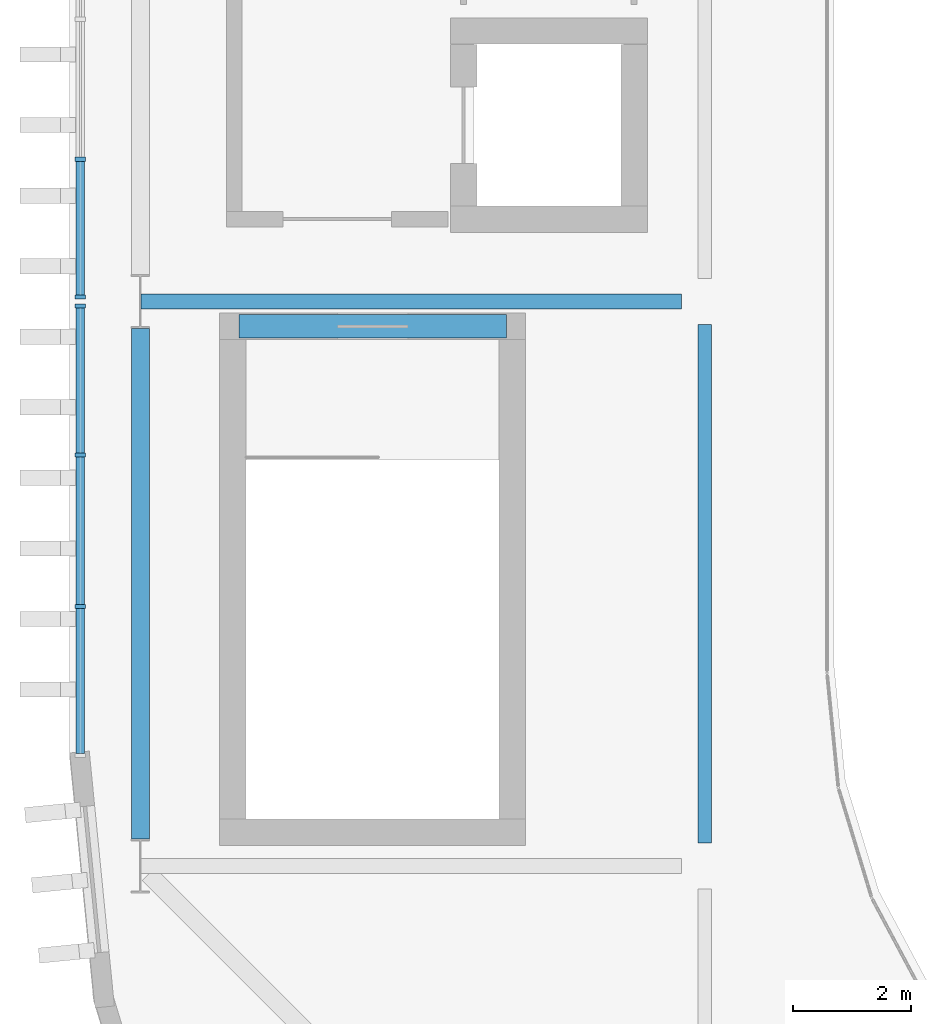
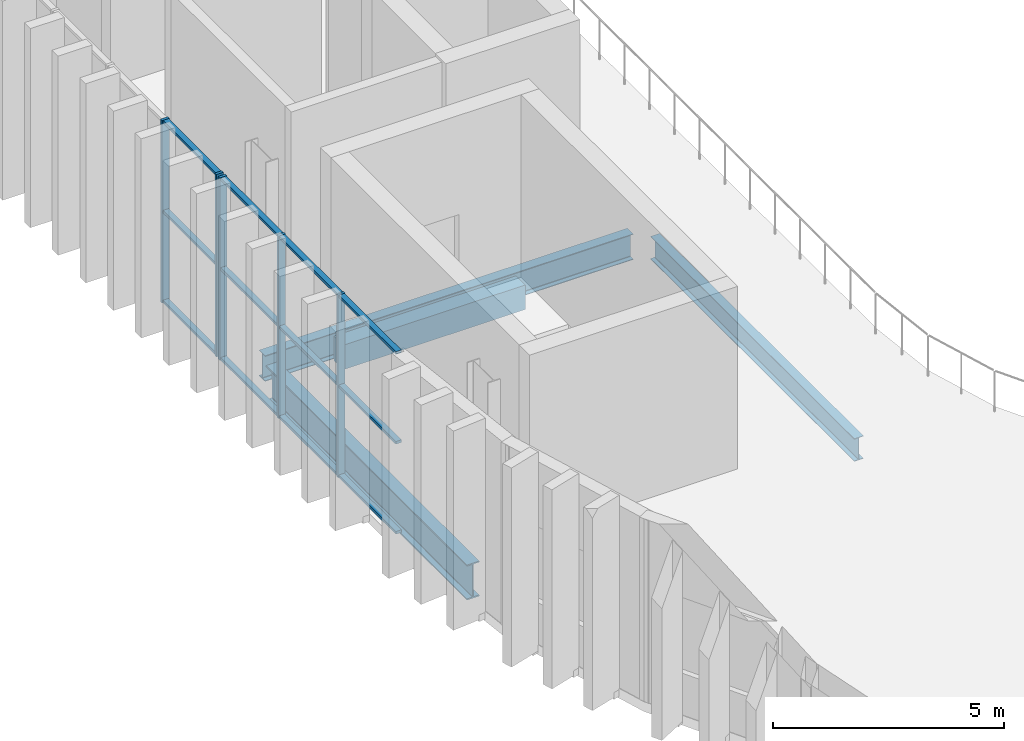
# One storey, part 10 of 45: 17 members, 4 beams, 2 elements without a shape of their own.
"""IFC4 building model written with IfcOpenShell, lengths in metres."""

from ifc_helpers import new_model, si_unit, direction, frame, origin, origin_2d, place, context, subcontext, project, spatial, rectangle, i_section, extrude, material, layer, layer_set, material_profile, profile_set, type_object, element, aggregate, save


model = new_model("IFC4")

# Units and contexts
model_context = context("Model", 3, precision=1e-05, world=origin(), true_north=direction((0.0, 1.0)))
body_context = subcontext(model_context, "Body", "Model", "MODEL_VIEW")
ifc_project = project(units=[si_unit("LENGTHUNIT", "METRE"), si_unit("AREAUNIT", "SQUARE_METRE"), si_unit("VOLUMEUNIT", "CUBIC_METRE"), si_unit("PLANEANGLEUNIT", "RADIAN"), si_unit("MASSUNIT", "GRAM", prefix="KILO")], contexts=[model_context])

# Site, building, storey
site_placement = place(None, origin())
site = spatial("IfcSite", under=ifc_project, at=site_placement, CompositionType="ELEMENT")
building_placement = place(site_placement, origin())
building = spatial("IfcBuilding", under=site, at=building_placement, Name="Caelomonte Colonnade Arena", CompositionType="ELEMENT")
storey_placement = place(building_placement, frame((0.0, 0.0, 23.10009765625)))
storey = spatial("IfcBuildingStorey", under=building, at=storey_placement, Name="L05", CompositionType="ELEMENT", Elevation=23.10009765625)

# Curtain wall, members
ifc_material_1 = material(Name="Bronze anodised aluminium and low-E glazing", Category="aluminium")
ifc_layer_1 = layer(ifc_material_1, 0.179931640625)
ifc_layer_set_1 = layer_set([ifc_layer_1], Name="Bronze anodised aluminium and low-E glazing")
curtain_wall_type_1 = type_object("IfcCurtainWallType", Name="ENV-CW-CW-L05-96-48", PredefinedType="USERDEFINED", material=ifc_layer_set_1)
curtain_wall_1_placement = place(storey_placement, origin())
curtain_wall_1 = element("IfcCurtainWall", 1, at=curtain_wall_1_placement, inside=storey, type_object=curtain_wall_type_1, Name="L05 unitized curtain wall CW-L05-0566-0528", ObjectType="UNITIZED CURTAIN WALL", PredefinedType="USERDEFINED")
ifc_material_2 = material(Name="Bronze anodised aluminium AA6063-T6", Category="aluminium")
ifc_material_profile_1 = material_profile(ifc_material_2, rectangle(XDim=0.070068359375, YDim=0.179931640625, at=origin_2d()), Name="CWM-70X180")
ifc_profile_set_1 = profile_set([ifc_material_profile_1], Name="Bronze anodised aluminium AA6063-T6")
member_type_1 = type_object("IfcMemberType", Name="ENV-CW-MULL1", PredefinedType="MULLION", material=ifc_profile_set_1)
member_1_placement = place(storey_placement, frame((56.580078125, 50.419921875, 0.0), z_axis=(0.0, 0.0, 1.0), x_axis=(0.0, -1.0, 0.0)))
member_1 = element("IfcMember", 2, at=member_1_placement, type_object=member_type_1, Name="CW-L05-96-48 mullion 4", PredefinedType="MULLION", context=body_context, shape_type="SweptSolid", body=[
    extrude(rectangle(XDim=0.070068359375, YDim=0.179931640625, at=origin_2d()), origin(), (0.0, 0.0, 1.0), 4.81982421875),
])
member_2_placement = place(storey_placement, frame((56.580078125, 48.074951171875, 0.0), z_axis=(0.0, 0.0, 1.0), x_axis=(0.0, -1.0, 0.0)))
member_2 = element("IfcMember", 3, at=member_2_placement, type_object=member_type_1, Name="CW-L05-96-48 mullion 5", PredefinedType="MULLION", context=body_context, shape_type="SweptSolid", body=[
    extrude(rectangle(XDim=0.070068359375, YDim=0.179931640625, at=origin_2d()), origin(), (0.0, 0.0, 1.0), 4.81982421875),
])

ifc_layer_2 = layer(ifc_material_1, 0.179931640625)
ifc_layer_set_2 = layer_set([ifc_layer_2], Name="Bronze anodised aluminium and low-E glazing")
curtain_wall_type_2 = type_object("IfcCurtainWallType", Name="ENV-CW-CW-L05-79-48", PredefinedType="USERDEFINED", material=ifc_layer_set_2)
curtain_wall_2_placement = place(storey_placement, origin())
curtain_wall_2 = element("IfcCurtainWall", 4, at=curtain_wall_2_placement, inside=storey, type_object=curtain_wall_type_2, Name="L05 unitized curtain wall CW-L05-0566-0440", ObjectType="UNITIZED CURTAIN WALL", PredefinedType="USERDEFINED")
member_3_placement = place(storey_placement, frame((56.580078125, 47.925048828125, 0.0), z_axis=(0.0, 0.0, 1.0), x_axis=(0.0, -1.0, 0.0)))
member_3 = element("IfcMember", 5, at=member_3_placement, type_object=member_type_1, Name="CW-L05-79-48 mullion 1", PredefinedType="MULLION", context=body_context, shape_type="SweptSolid", body=[
    extrude(rectangle(XDim=0.070068359375, YDim=0.179931640625, at=origin_2d()), origin(), (0.0, 0.0, 1.0), 4.81982421875),
])
member_4_placement = place(storey_placement, frame((56.580078125, 45.38671875, 0.0), z_axis=(0.0, 0.0, 1.0), x_axis=(0.0, -1.0, 0.0)))
member_4 = element("IfcMember", 6, at=member_4_placement, type_object=member_type_1, Name="CW-L05-79-48 mullion 2", PredefinedType="MULLION", context=body_context, shape_type="SweptSolid", body=[
    extrude(rectangle(XDim=0.070068359375, YDim=0.179931640625, at=origin_2d()), origin(), (0.0, 0.0, 1.0), 4.81982421875),
])
member_5_placement = place(storey_placement, frame((56.580078125, 42.813232421875, 0.0), z_axis=(0.0, 0.0, 1.0), x_axis=(0.0, -1.0, 0.0)))
member_5 = element("IfcMember", 7, at=member_5_placement, type_object=member_type_1, Name="CW-L05-79-48 mullion 3", PredefinedType="MULLION", context=body_context, shape_type="SweptSolid", body=[
    extrude(rectangle(XDim=0.070068359375, YDim=0.179931640625, at=origin_2d()), origin(), (0.0, 0.0, 1.0), 4.81982421875),
])

# Member
ifc_material_profile_2 = material_profile(ifc_material_2, rectangle(XDim=0.070068359375, YDim=0.139892578125, at=origin_2d()), Name="CWT-70X140")
ifc_profile_set_2 = profile_set([ifc_material_profile_2], Name="Bronze anodised aluminium AA6063-T6")
member_type_2 = type_object("IfcMemberType", Name="ENV-CW-TRAN1", PredefinedType="USERDEFINED", material=ifc_profile_set_2)
member_6_placement = place(storey_placement, frame((56.580078125, 50.385009765625, 0.034912109375), z_axis=(0.0, -1.0, 0.0), x_axis=(0.0, 0.0, 1.0)))
member_6 = element("IfcMember", 8, at=member_6_placement, type_object=member_type_2, Name="CW-L05-96-48 transom 4.1", ObjectType="TRANSOM", PredefinedType="USERDEFINED", context=body_context, shape_type="SweptSolid", body=[
    extrude(rectangle(XDim=0.070068359375, YDim=0.139892578125, at=origin_2d()), origin(), (0.0, 0.0, 1.0), 2.27490234375),
])

member_7_placement = place(storey_placement, frame((56.580078125, 50.385009765625, 2.409912109375), z_axis=(0.0, -1.0, 0.0), x_axis=(0.0, 0.0, 1.0)))
member_7 = element("IfcMember", 9, at=member_7_placement, type_object=member_type_2, Name="CW-L05-96-48 transom 4.2", ObjectType="TRANSOM", PredefinedType="USERDEFINED", context=body_context, shape_type="SweptSolid", body=[
    extrude(rectangle(XDim=0.070068359375, YDim=0.139892578125, at=origin_2d()), origin(), (0.0, 0.0, 1.0), 2.27490234375),
])

member_8_placement = place(storey_placement, frame((56.580078125, 50.385009765625, 4.784912109375), z_axis=(0.0, -1.0, 0.0), x_axis=(0.0, 0.0, 1.0)))
member_8 = element("IfcMember", 10, at=member_8_placement, type_object=member_type_2, Name="CW-L05-96-48 transom 4.3", ObjectType="TRANSOM", PredefinedType="USERDEFINED", context=body_context, shape_type="SweptSolid", body=[
    extrude(rectangle(XDim=0.070068359375, YDim=0.139892578125, at=origin_2d()), origin(), (0.0, 0.0, 1.0), 2.27490234375),
])

aggregate(curtain_wall_1, [member_1, member_2, member_6, member_7, member_8])

member_9_placement = place(storey_placement, frame((56.580078125, 47.889892578125, 0.034912109375), z_axis=(0.0, -1.0, 0.0), x_axis=(0.0, 0.0, 1.0)))
member_9 = element("IfcMember", 11, at=member_9_placement, type_object=member_type_2, Name="CW-L05-79-48 transom 1.1", ObjectType="TRANSOM", PredefinedType="USERDEFINED", context=body_context, shape_type="SweptSolid", body=[
    extrude(rectangle(XDim=0.070068359375, YDim=0.139892578125, at=origin_2d()), origin(), (0.0, 0.0, 1.0), 2.46826171875),
])

member_10_placement = place(storey_placement, frame((56.580078125, 47.889892578125, 2.409912109375), z_axis=(0.0, -1.0, 0.0), x_axis=(0.0, 0.0, 1.0)))
member_10 = element("IfcMember", 12, at=member_10_placement, type_object=member_type_2, Name="CW-L05-79-48 transom 1.2", ObjectType="TRANSOM", PredefinedType="USERDEFINED", context=body_context, shape_type="SweptSolid", body=[
    extrude(rectangle(XDim=0.070068359375, YDim=0.139892578125, at=origin_2d()), origin(), (0.0, 0.0, 1.0), 2.46826171875),
])

member_11_placement = place(storey_placement, frame((56.580078125, 47.889892578125, 4.784912109375), z_axis=(0.0, -1.0, 0.0), x_axis=(0.0, 0.0, 1.0)))
member_11 = element("IfcMember", 13, at=member_11_placement, type_object=member_type_2, Name="CW-L05-79-48 transom 1.3", ObjectType="TRANSOM", PredefinedType="USERDEFINED", context=body_context, shape_type="SweptSolid", body=[
    extrude(rectangle(XDim=0.070068359375, YDim=0.139892578125, at=origin_2d()), origin(), (0.0, 0.0, 1.0), 2.46826171875),
])

member_12_placement = place(storey_placement, frame((56.580078125, 45.3515625, 0.034912109375), z_axis=(0.0, -1.0, 0.0), x_axis=(0.0, 0.0, 1.0)))
member_12 = element("IfcMember", 14, at=member_12_placement, type_object=member_type_2, Name="CW-L05-79-48 transom 2.1", ObjectType="TRANSOM", PredefinedType="USERDEFINED", context=body_context, shape_type="SweptSolid", body=[
    extrude(rectangle(XDim=0.070068359375, YDim=0.139892578125, at=origin_2d()), origin(), (0.0, 0.0, 1.0), 2.503173828125),
])

member_13_placement = place(storey_placement, frame((56.580078125, 45.3515625, 2.409912109375), z_axis=(0.0, -1.0, 0.0), x_axis=(0.0, 0.0, 1.0)))
member_13 = element("IfcMember", 15, at=member_13_placement, type_object=member_type_2, Name="CW-L05-79-48 transom 2.2", ObjectType="TRANSOM", PredefinedType="USERDEFINED", context=body_context, shape_type="SweptSolid", body=[
    extrude(rectangle(XDim=0.070068359375, YDim=0.139892578125, at=origin_2d()), origin(), (0.0, 0.0, 1.0), 2.503173828125),
])

member_14_placement = place(storey_placement, frame((56.580078125, 45.3515625, 4.784912109375), z_axis=(0.0, -1.0, 0.0), x_axis=(0.0, 0.0, 1.0)))
member_14 = element("IfcMember", 16, at=member_14_placement, type_object=member_type_2, Name="CW-L05-79-48 transom 2.3", ObjectType="TRANSOM", PredefinedType="USERDEFINED", context=body_context, shape_type="SweptSolid", body=[
    extrude(rectangle(XDim=0.070068359375, YDim=0.139892578125, at=origin_2d()), origin(), (0.0, 0.0, 1.0), 2.503173828125),
])

member_15_placement = place(storey_placement, frame((56.580078125, 42.7783203125, 0.034912109375), z_axis=(0.0, -1.0, 0.0), x_axis=(0.0, 0.0, 1.0)))
member_15 = element("IfcMember", 17, at=member_15_placement, type_object=member_type_2, Name="CW-L05-79-48 transom 3.1", ObjectType="TRANSOM", PredefinedType="USERDEFINED", context=body_context, shape_type="SweptSolid", body=[
    extrude(rectangle(XDim=0.070068359375, YDim=0.139892578125, at=origin_2d()), origin(), (0.0, 0.0, 1.0), 2.46826171875),
])

member_16_placement = place(storey_placement, frame((56.580078125, 42.7783203125, 2.409912109375), z_axis=(0.0, -1.0, 0.0), x_axis=(0.0, 0.0, 1.0)))
member_16 = element("IfcMember", 18, at=member_16_placement, type_object=member_type_2, Name="CW-L05-79-48 transom 3.2", ObjectType="TRANSOM", PredefinedType="USERDEFINED", context=body_context, shape_type="SweptSolid", body=[
    extrude(rectangle(XDim=0.070068359375, YDim=0.139892578125, at=origin_2d()), origin(), (0.0, 0.0, 1.0), 2.46826171875),
])

member_17_placement = place(storey_placement, frame((56.580078125, 42.7783203125, 4.784912109375), z_axis=(0.0, -1.0, 0.0), x_axis=(0.0, 0.0, 1.0)))
member_17 = element("IfcMember", 19, at=member_17_placement, type_object=member_type_2, Name="CW-L05-79-48 transom 3.3", ObjectType="TRANSOM", PredefinedType="USERDEFINED", context=body_context, shape_type="SweptSolid", body=[
    extrude(rectangle(XDim=0.070068359375, YDim=0.139892578125, at=origin_2d()), origin(), (0.0, 0.0, 1.0), 2.46826171875),
])

aggregate(curtain_wall_2, [member_3, member_4, member_5, member_9, member_10, member_11, member_12, member_13, member_14, member_15, member_16, member_17])

# Beams
ifc_material_3 = material(Name="Wide-flange steel ASTM A992 Grade 50", Category="steel")
ifc_material_profile_3 = material_profile(ifc_material_3, i_section(OverallWidth=0.307861328125, OverallDepth=0.927001953125, WebThickness=0.019287109375, FlangeThickness=0.031982421875, FilletRadius=0.020263671875, at=origin_2d()), Name="W36X194")
ifc_profile_set_3 = profile_set([ifc_material_profile_3], Name="Wide-flange steel ASTM A992 Grade 50")
beam_type_1 = type_object("IfcBeamType", Name="STR-BM-EAVES2", PredefinedType="SPANDREL", material=ifc_profile_set_3)
beam_1_placement = place(storey_placement, frame((57.60009765625, 38.855712890625, -0.7236328125), z_axis=(0.0, 1.0, 0.0), x_axis=(-1.0, 0.0, 0.0)))
element("IfcBeam", 20, at=beam_1_placement, inside=storey, type_object=beam_type_1, Name="L05 girder BMY-L05-0576-0384", PredefinedType="SPANDREL", context=body_context, shape_type="SweptSolid", body=[
    extrude(i_section(OverallWidth=0.307861328125, OverallDepth=0.927001953125, WebThickness=0.019287109375, FlangeThickness=0.031982421875, FilletRadius=0.020263671875, at=origin_2d()), origin(), (0.0, 0.0, 1.0), 8.688720703125),
])
ifc_material_profile_4 = material_profile(ifc_material_3, i_section(OverallWidth=0.227783203125, OverallDepth=0.60205078125, WebThickness=0.010498046875, FlangeThickness=0.014892578125, FilletRadius=0.0126953125, at=origin_2d()), Name="W24X68")
ifc_profile_set_4 = profile_set([ifc_material_profile_4], Name="Wide-flange steel ASTM A992 Grade 50")
beam_type_2 = type_object("IfcBeamType", Name="STR-BM-GIRD24B", PredefinedType="SPANDREL", material=ifc_profile_set_4)
beam_2_placement = place(storey_placement, frame((67.199951171875, 38.7919921875, -0.56103515625), z_axis=(0.0, 1.0, 0.0), x_axis=(-1.0, 0.0, 0.0)))
element("IfcBeam", 21, at=beam_2_placement, inside=storey, type_object=beam_type_2, Name="L05 girder BMY-L05-0672-0384", PredefinedType="SPANDREL", context=body_context, shape_type="SweptSolid", body=[
    extrude(i_section(OverallWidth=0.227783203125, OverallDepth=0.60205078125, WebThickness=0.010498046875, FlangeThickness=0.014892578125, FilletRadius=0.0126953125, at=origin_2d()), origin(), (0.0, 0.0, 1.0), 8.81591796875),
])
ifc_material_profile_5 = material_profile(ifc_material_3, i_section(OverallWidth=0.2529296875, OverallDepth=0.67822265625, WebThickness=0.01171875, FlangeThickness=0.016357421875, FilletRadius=0.01513671875, at=origin_2d()), Name="W27X84")
ifc_profile_set_5 = profile_set([ifc_material_profile_5], Name="Wide-flange steel ASTM A992 Grade 50")
beam_type_3 = type_object("IfcBeamType", Name="STR-BM-GIRD27B", PredefinedType="BEAM", material=ifc_profile_set_5)
beam_3_placement = place(storey_placement, frame((57.609619140625, 48.0, -0.59912109375), z_axis=(1.0, 0.0, 0.0), x_axis=(0.0, 1.0, 0.0)))
element("IfcBeam", 22, at=beam_3_placement, inside=storey, type_object=beam_type_3, Name="L05 girder BMX-L05-0576-0480", PredefinedType="BEAM", context=body_context, shape_type="SweptSolid", body=[
    extrude(i_section(OverallWidth=0.2529296875, OverallDepth=0.67822265625, WebThickness=0.01171875, FlangeThickness=0.016357421875, FilletRadius=0.01513671875, at=origin_2d()), origin(), (0.0, 0.0, 1.0), 9.198486328125),
])
ifc_material_4 = material(Name="Concrete C40/50", Category="concrete")
ifc_material_profile_6 = material_profile(ifc_material_4, rectangle(XDim=0.39990234375, YDim=0.64990234375, at=origin_2d()), Name="RC400X650")
ifc_profile_set_6 = profile_set([ifc_material_profile_6], Name="Concrete C40/50")
beam_type_4 = type_object("IfcBeamType", Name="STR-BM-LINT40", PredefinedType="LINTEL", material=ifc_profile_set_6)
beam_4_placement = place(storey_placement, frame((59.27490234375, 47.574951171875, -0.585205078125), z_axis=(1.0, 0.0, 0.0), x_axis=(0.0, 1.0, 0.0)))
element("IfcBeam", 23, at=beam_4_placement, inside=storey, type_object=beam_type_4, Name="Core C1 L05 coupling lintel beam", PredefinedType="LINTEL", context=body_context, shape_type="SweptSolid", body=[
    extrude(rectangle(XDim=0.39990234375, YDim=0.64990234375, at=origin_2d()), origin(), (0.0, 0.0, 1.0), 4.550048828125),
])

save(model, "model.ifc")
